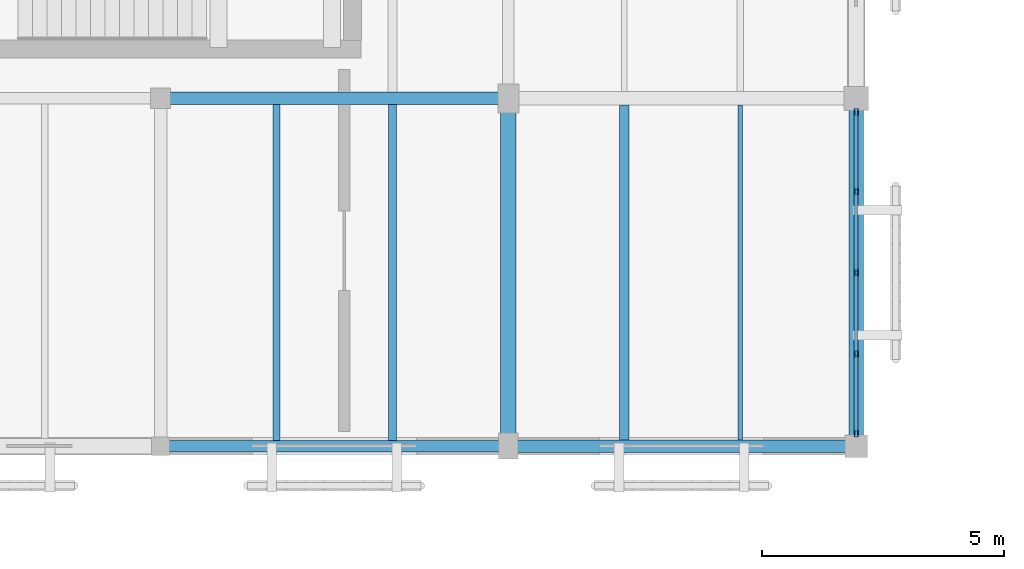
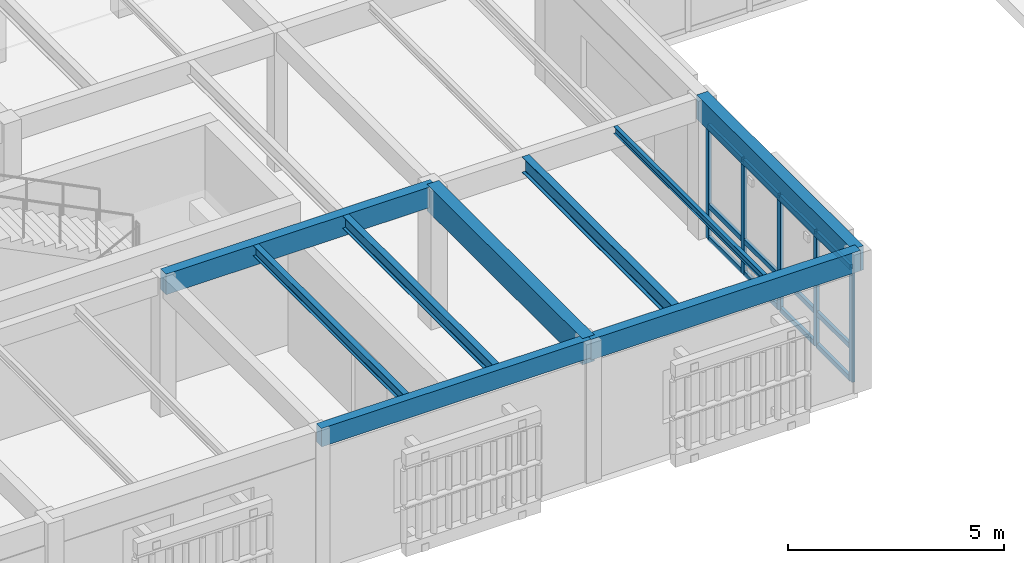
# One storey, part 16 of 112: 17 members, 9 beams, 1 element without a shape of its own.
"""IFC4 building model written with IfcOpenShell, lengths in metres."""

from ifc_helpers import new_model, si_unit, direction, frame, origin, origin_2d, place, context, subcontext, project, spatial, rectangle, hollow_rectangle, i_section, extrude, material, layer, layer_set, material_profile, profile_set, type_object, element, aggregate, save


model = new_model("IFC4")

# Units and contexts
model_context = context("Model", 3, precision=1e-05, world=origin(), true_north=direction((0.0, 1.0)))
body_context = subcontext(model_context, "Body", "Model", "MODEL_VIEW")
ifc_project = project(units=[si_unit("LENGTHUNIT", "METRE"), si_unit("AREAUNIT", "SQUARE_METRE"), si_unit("VOLUMEUNIT", "CUBIC_METRE"), si_unit("PLANEANGLEUNIT", "RADIAN"), si_unit("MASSUNIT", "GRAM", prefix="KILO")], contexts=[model_context])

# Site, building, storey
site_placement = place(None, origin())
site = spatial("IfcSite", under=ifc_project, at=site_placement, CompositionType="ELEMENT")
building_placement = place(site_placement, origin())
building = spatial("IfcBuilding", under=site, at=building_placement, Name="Mazaris Harbour Polytechnic", CompositionType="ELEMENT")
storey_placement = place(building_placement, frame((0.0, 0.0, 13.800048828125)))
storey = spatial("IfcBuildingStorey", under=building, at=storey_placement, Name="L03", CompositionType="ELEMENT", Elevation=13.800048828125)

# Curtain wall, members
ifc_material_1 = material(Name="Anodised Bronze Aluminium and Low-E Glass", Category="aluminium")
ifc_layer = layer(ifc_material_1, 0.159912109375, Name="Anodised Bronze Aluminium and Low-E Glass")
ifc_layer_set = layer_set([ifc_layer], Name="Anodised Bronze Aluminium and Low-E Glass")
curtain_wall_type = type_object("IfcCurtainWallType", Name="Cloister Court Curtain Wall", PredefinedType="NOTDEFINED", material=ifc_layer_set)
curtain_wall_placement = place(storey_placement, origin())
curtain_wall = element("IfcCurtainWall", 1, at=curtain_wall_placement, inside=storey, type_object=curtain_wall_type, Name="V4 L03 Curtain Wall 145", PredefinedType="NOTDEFINED")
ifc_material_2 = material(Name="Anodised Bronze Steel S355", Category="steel")
ifc_material_profile_1 = material_profile(ifc_material_2, hollow_rectangle(XDim=0.080078125, YDim=0.139892578125, WallThickness=0.00634765625, at=origin_2d()), Name="RHS 80x140x6.3")
ifc_profile_set_1 = profile_set([ifc_material_profile_1], Name="Anodised Bronze Steel S355")
member_type_1 = type_object("IfcMemberType", Name="Curtain Mullion RHS80x140", PredefinedType="MULLION", material=ifc_profile_set_1)
member_1_placement = place(storey_placement, frame((43.199951171875, 14.117919921875, 0.0), z_axis=(0.0, 0.0, 1.0), x_axis=(1.0, 0.0, 0.0)))
member_1 = element("IfcMember", 2, at=member_1_placement, type_object=member_type_1, Name="CW-02 mullion 1", PredefinedType="MULLION", context=body_context, shape_type="SweptSolid", body=[
    extrude(hollow_rectangle(XDim=0.080078125, YDim=0.139892578125, WallThickness=0.00634765625, at=origin_2d()), origin(), (0.0, 0.0, 1.0), 3.22998046875),
])
member_2_placement = place(storey_placement, frame((43.199951171875, 12.47412109375, 0.0), z_axis=(0.0, 0.0, 1.0), x_axis=(1.0, 0.0, 0.0)))
member_2 = element("IfcMember", 3, at=member_2_placement, type_object=member_type_1, Name="CW-02 mullion 2", PredefinedType="MULLION", context=body_context, shape_type="SweptSolid", body=[
    extrude(hollow_rectangle(XDim=0.080078125, YDim=0.139892578125, WallThickness=0.00634765625, at=origin_2d()), origin(), (0.0, 0.0, 1.0), 3.22998046875),
])
member_3_placement = place(storey_placement, frame((43.199951171875, 10.7900390625, 0.0), z_axis=(0.0, 0.0, 1.0), x_axis=(1.0, 0.0, 0.0)))
member_3 = element("IfcMember", 4, at=member_3_placement, type_object=member_type_1, Name="CW-02 mullion 3", PredefinedType="MULLION", context=body_context, shape_type="SweptSolid", body=[
    extrude(hollow_rectangle(XDim=0.080078125, YDim=0.139892578125, WallThickness=0.00634765625, at=origin_2d()), origin(), (0.0, 0.0, 1.0), 3.22998046875),
])
member_4_placement = place(storey_placement, frame((43.199951171875, 9.10595703125, 0.0), z_axis=(0.0, 0.0, 1.0), x_axis=(1.0, 0.0, 0.0)))
member_4 = element("IfcMember", 5, at=member_4_placement, type_object=member_type_1, Name="CW-02 mullion 4", PredefinedType="MULLION", context=body_context, shape_type="SweptSolid", body=[
    extrude(hollow_rectangle(XDim=0.080078125, YDim=0.139892578125, WallThickness=0.00634765625, at=origin_2d()), origin(), (0.0, 0.0, 1.0), 3.22998046875),
])
member_5_placement = place(storey_placement, frame((43.199951171875, 7.4619140625, 0.0), z_axis=(0.0, 0.0, 1.0), x_axis=(1.0, 0.0, 0.0)))
member_5 = element("IfcMember", 6, at=member_5_placement, type_object=member_type_1, Name="CW-02 mullion 5", PredefinedType="MULLION", context=body_context, shape_type="SweptSolid", body=[
    extrude(hollow_rectangle(XDim=0.080078125, YDim=0.139892578125, WallThickness=0.00634765625, at=origin_2d()), origin(), (0.0, 0.0, 1.0), 3.22998046875),
])
ifc_material_3 = material(Name="Anodised Bronze Steel S355", Category="steel")
ifc_material_profile_2 = material_profile(ifc_material_3, hollow_rectangle(XDim=0.080078125, YDim=0.139892578125, WallThickness=0.00634765625, at=origin_2d()), Name="RHS 80x140x6.3")
ifc_profile_set_2 = profile_set([ifc_material_profile_2], Name="Anodised Bronze Steel S355")
member_type_2 = type_object("IfcMemberType", Name="Curtain Transom RHS80x140", PredefinedType="USERDEFINED", material=ifc_profile_set_2)
member_6_placement = place(storey_placement, frame((43.199951171875, 14.077880859375, 0.0400390625), z_axis=(0.0, -1.0, 0.0), x_axis=(1.0, 0.0, 0.0)))
member_6 = element("IfcMember", 7, at=member_6_placement, type_object=member_type_2, Name="CW-02 transom 1.1", ObjectType="TRANSOM", PredefinedType="USERDEFINED", context=body_context, shape_type="SweptSolid", body=[
    extrude(hollow_rectangle(XDim=0.080078125, YDim=0.139892578125, WallThickness=0.00634765625, at=origin_2d()), origin(), (0.0, 0.0, 1.0), 1.56396484375),
])
member_7_placement = place(storey_placement, frame((43.199951171875, 14.077880859375, 0.949951171875), z_axis=(0.0, -1.0, 0.0), x_axis=(1.0, 0.0, 0.0)))
member_7 = element("IfcMember", 8, at=member_7_placement, type_object=member_type_2, Name="CW-02 transom 1.2", ObjectType="TRANSOM", PredefinedType="USERDEFINED", context=body_context, shape_type="SweptSolid", body=[
    extrude(hollow_rectangle(XDim=0.080078125, YDim=0.139892578125, WallThickness=0.00634765625, at=origin_2d()), origin(), (0.0, 0.0, 1.0), 1.56396484375),
])
member_8_placement = place(storey_placement, frame((43.199951171875, 14.077880859375, 3.18994140625), z_axis=(0.0, -1.0, 0.0), x_axis=(1.0, 0.0, 0.0)))
member_8 = element("IfcMember", 9, at=member_8_placement, type_object=member_type_2, Name="CW-02 transom 1.3", ObjectType="TRANSOM", PredefinedType="USERDEFINED", context=body_context, shape_type="SweptSolid", body=[
    extrude(hollow_rectangle(XDim=0.080078125, YDim=0.139892578125, WallThickness=0.00634765625, at=origin_2d()), origin(), (0.0, 0.0, 1.0), 1.56396484375),
])
member_9_placement = place(storey_placement, frame((43.199951171875, 12.43408203125, 0.0400390625), z_axis=(0.0, -1.0, 0.0), x_axis=(1.0, 0.0, 0.0)))
member_9 = element("IfcMember", 10, at=member_9_placement, type_object=member_type_2, Name="CW-02 transom 2.1", ObjectType="TRANSOM", PredefinedType="USERDEFINED", context=body_context, shape_type="SweptSolid", body=[
    extrude(hollow_rectangle(XDim=0.080078125, YDim=0.139892578125, WallThickness=0.00634765625, at=origin_2d()), origin(), (0.0, 0.0, 1.0), 1.60400390625),
])
member_10_placement = place(storey_placement, frame((43.199951171875, 12.43408203125, 0.949951171875), z_axis=(0.0, -1.0, 0.0), x_axis=(1.0, 0.0, 0.0)))
member_10 = element("IfcMember", 11, at=member_10_placement, type_object=member_type_2, Name="CW-02 transom 2.2", ObjectType="TRANSOM", PredefinedType="USERDEFINED", context=body_context, shape_type="SweptSolid", body=[
    extrude(hollow_rectangle(XDim=0.080078125, YDim=0.139892578125, WallThickness=0.00634765625, at=origin_2d()), origin(), (0.0, 0.0, 1.0), 1.60400390625),
])
member_11_placement = place(storey_placement, frame((43.199951171875, 12.43408203125, 3.18994140625), z_axis=(0.0, -1.0, 0.0), x_axis=(1.0, 0.0, 0.0)))
member_11 = element("IfcMember", 12, at=member_11_placement, type_object=member_type_2, Name="CW-02 transom 2.3", ObjectType="TRANSOM", PredefinedType="USERDEFINED", context=body_context, shape_type="SweptSolid", body=[
    extrude(hollow_rectangle(XDim=0.080078125, YDim=0.139892578125, WallThickness=0.00634765625, at=origin_2d()), origin(), (0.0, 0.0, 1.0), 1.60400390625),
])
member_12_placement = place(storey_placement, frame((43.199951171875, 10.75, 0.0400390625), z_axis=(0.0, -1.0, 0.0), x_axis=(1.0, 0.0, 0.0)))
member_12 = element("IfcMember", 13, at=member_12_placement, type_object=member_type_2, Name="CW-02 transom 3.1", ObjectType="TRANSOM", PredefinedType="USERDEFINED", context=body_context, shape_type="SweptSolid", body=[
    extrude(hollow_rectangle(XDim=0.080078125, YDim=0.139892578125, WallThickness=0.00634765625, at=origin_2d()), origin(), (0.0, 0.0, 1.0), 1.60400390625),
])
member_13_placement = place(storey_placement, frame((43.199951171875, 10.75, 0.949951171875), z_axis=(0.0, -1.0, 0.0), x_axis=(1.0, 0.0, 0.0)))
member_13 = element("IfcMember", 14, at=member_13_placement, type_object=member_type_2, Name="CW-02 transom 3.2", ObjectType="TRANSOM", PredefinedType="USERDEFINED", context=body_context, shape_type="SweptSolid", body=[
    extrude(hollow_rectangle(XDim=0.080078125, YDim=0.139892578125, WallThickness=0.00634765625, at=origin_2d()), origin(), (0.0, 0.0, 1.0), 1.60400390625),
])
member_14_placement = place(storey_placement, frame((43.199951171875, 10.75, 3.18994140625), z_axis=(0.0, -1.0, 0.0), x_axis=(1.0, 0.0, 0.0)))
member_14 = element("IfcMember", 15, at=member_14_placement, type_object=member_type_2, Name="CW-02 transom 3.3", ObjectType="TRANSOM", PredefinedType="USERDEFINED", context=body_context, shape_type="SweptSolid", body=[
    extrude(hollow_rectangle(XDim=0.080078125, YDim=0.139892578125, WallThickness=0.00634765625, at=origin_2d()), origin(), (0.0, 0.0, 1.0), 1.60400390625),
])
member_15_placement = place(storey_placement, frame((43.199951171875, 9.06591796875, 0.0400390625), z_axis=(0.0, -1.0, 0.0), x_axis=(1.0, 0.0, 0.0)))
member_15 = element("IfcMember", 16, at=member_15_placement, type_object=member_type_2, Name="CW-02 transom 4.1", ObjectType="TRANSOM", PredefinedType="USERDEFINED", context=body_context, shape_type="SweptSolid", body=[
    extrude(hollow_rectangle(XDim=0.080078125, YDim=0.139892578125, WallThickness=0.00634765625, at=origin_2d()), origin(), (0.0, 0.0, 1.0), 1.56396484375),
])
member_16_placement = place(storey_placement, frame((43.199951171875, 9.06591796875, 0.949951171875), z_axis=(0.0, -1.0, 0.0), x_axis=(1.0, 0.0, 0.0)))
member_16 = element("IfcMember", 17, at=member_16_placement, type_object=member_type_2, Name="CW-02 transom 4.2", ObjectType="TRANSOM", PredefinedType="USERDEFINED", context=body_context, shape_type="SweptSolid", body=[
    extrude(hollow_rectangle(XDim=0.080078125, YDim=0.139892578125, WallThickness=0.00634765625, at=origin_2d()), origin(), (0.0, 0.0, 1.0), 1.56396484375),
])
member_17_placement = place(storey_placement, frame((43.199951171875, 9.06591796875, 3.18994140625), z_axis=(0.0, -1.0, 0.0), x_axis=(1.0, 0.0, 0.0)))
member_17 = element("IfcMember", 18, at=member_17_placement, type_object=member_type_2, Name="CW-02 transom 4.3", ObjectType="TRANSOM", PredefinedType="USERDEFINED", context=body_context, shape_type="SweptSolid", body=[
    extrude(hollow_rectangle(XDim=0.080078125, YDim=0.139892578125, WallThickness=0.00634765625, at=origin_2d()), origin(), (0.0, 0.0, 1.0), 1.56396484375),
])
aggregate(curtain_wall, [member_1, member_2, member_3, member_4, member_5, member_6, member_7, member_8, member_9, member_10, member_11, member_12, member_13, member_14, member_15, member_16, member_17])

# Beams
ifc_material_4 = material(Name="Glulam GL32h", Category="wood")
ifc_material_profile_3 = material_profile(ifc_material_4, rectangle(XDim=0.239990234375, YDim=0.52001953125, at=origin_2d()), Name="RECT240x520")
ifc_profile_set_3 = profile_set([ifc_material_profile_3], Name="Glulam GL32h")
beam_type_1 = type_object("IfcBeamType", Name="Glulam Girder 240x520 Exterior", PredefinedType="BEAM", material=ifc_profile_set_3)
beam_1_placement = place(storey_placement, frame((28.800048828125, 7.199951171875, 3.659912109375), z_axis=(1.0, 0.0, 0.0), x_axis=(0.0, 1.0, 0.0)))
element("IfcBeam", 19, at=beam_1_placement, inside=storey, type_object=beam_type_1, Name="V4 L03 Girder 2170", PredefinedType="BEAM", context=body_context, shape_type="SweptSolid", body=[
    extrude(rectangle(XDim=0.239990234375, YDim=0.52001953125, at=origin_2d()), origin(), (0.0, 0.0, 1.0), 7.199951171875),
])
ifc_material_5 = material(Name="Glulam GL32h", Category="wood")
ifc_material_profile_4 = material_profile(ifc_material_5, rectangle(XDim=0.260009765625, YDim=0.580078125, at=origin_2d()), Name="RECT260x580")
ifc_profile_set_4 = profile_set([ifc_material_profile_4], Name="Glulam GL32h")
beam_type_2 = type_object("IfcBeamType", Name="Glulam Girder 260x580", PredefinedType="BEAM", material=ifc_profile_set_4)
beam_2_placement = place(storey_placement, frame((28.800048828125, 14.39990234375, 3.6298828125), z_axis=(1.0, 0.0, 0.0), x_axis=(0.0, 1.0, 0.0)))
element("IfcBeam", 20, at=beam_2_placement, inside=storey, type_object=beam_type_2, Name="V4 L03 Girder 2176", PredefinedType="BEAM", context=body_context, shape_type="SweptSolid", body=[
    extrude(rectangle(XDim=0.260009765625, YDim=0.580078125, at=origin_2d()), origin(), (0.0, 0.0, 1.0), 7.199951171875),
])
ifc_material_6 = material(Name="Glulam GL32h", Category="wood")
ifc_material_profile_5 = material_profile(ifc_material_6, rectangle(XDim=0.260009765625, YDim=0.580078125, at=origin_2d()), Name="RECT260x580")
ifc_profile_set_5 = profile_set([ifc_material_profile_5], Name="Glulam GL32h")
beam_type_3 = type_object("IfcBeamType", Name="Glulam Girder 260x580 Exterior", PredefinedType="BEAM", material=ifc_profile_set_5)
beam_3_placement = place(storey_placement, frame((36.0, 7.199951171875, 3.6298828125), z_axis=(1.0, 0.0, 0.0), x_axis=(0.0, 1.0, 0.0)))
element("IfcBeam", 21, at=beam_3_placement, inside=storey, type_object=beam_type_3, Name="V4 L03 Girder 2171", PredefinedType="BEAM", context=body_context, shape_type="SweptSolid", body=[
    extrude(rectangle(XDim=0.260009765625, YDim=0.580078125, at=origin_2d()), origin(), (0.0, 0.0, 1.0), 7.199951171875),
])
ifc_material_7 = material(Name="Glulam GL32h", Category="wood")
ifc_material_profile_6 = material_profile(ifc_material_7, rectangle(XDim=0.300048828125, YDim=0.679931640625, at=origin_2d()), Name="RECT300x680")
ifc_profile_set_6 = profile_set([ifc_material_profile_6], Name="Glulam GL32h")
beam_type_4 = type_object("IfcBeamType", Name="Glulam Girder 300x680 Exterior", PredefinedType="BEAM", material=ifc_profile_set_6)
beam_4_placement = place(storey_placement, frame((43.199951171875, 7.199951171875, 3.579833984375), z_axis=(0.0, 1.0, 0.0), x_axis=(-1.0, 0.0, 0.0)))
element("IfcBeam", 22, at=beam_4_placement, inside=storey, type_object=beam_type_4, Name="V4 L03 Tie Girder 2268", PredefinedType="BEAM", context=body_context, shape_type="SweptSolid", body=[
    extrude(rectangle(XDim=0.300048828125, YDim=0.679931640625, at=origin_2d()), origin(), (0.0, 0.0, 1.0), 7.199951171875),
])
ifc_material_8 = material(Name="Glulam GL32h", Category="wood")
ifc_material_profile_7 = material_profile(ifc_material_8, rectangle(XDim=0.320068359375, YDim=0.739990234375, at=origin_2d()), Name="RECT320x740")
ifc_profile_set_7 = profile_set([ifc_material_profile_7], Name="Glulam GL32h")
beam_type_5 = type_object("IfcBeamType", Name="Glulam Girder 320x740", PredefinedType="BEAM", material=ifc_profile_set_7)
beam_5_placement = place(storey_placement, frame((36.0, 7.199951171875, 3.550048828125), z_axis=(0.0, 1.0, 0.0), x_axis=(-1.0, 0.0, 0.0)))
element("IfcBeam", 23, at=beam_5_placement, inside=storey, type_object=beam_type_5, Name="V4 L03 Tie Girder 2259", PredefinedType="BEAM", context=body_context, shape_type="SweptSolid", body=[
    extrude(rectangle(XDim=0.320068359375, YDim=0.739990234375, at=origin_2d()), origin(), (0.0, 0.0, 1.0), 7.199951171875),
])
ifc_material_9 = material(Name="Steel S355", Category="steel")
ifc_material_profile_8 = material_profile(ifc_material_9, i_section(OverallWidth=0.10009765625, OverallDepth=0.199951171875, WebThickness=0.005615234375, FlangeThickness=0.008544921875, FilletRadius=0.011962890625, at=origin_2d()), Name="IPE 200")
ifc_profile_set_8 = profile_set([ifc_material_profile_8], Name="Steel S355")
beam_type_6 = type_object("IfcBeamType", Name="Steel Joist IPE200", PredefinedType="JOIST", material=ifc_profile_set_8)
beam_6_placement = place(storey_placement, frame((40.800048828125, 7.330078125, 3.820068359375), z_axis=(0.0, 1.0, 0.0), x_axis=(-1.0, 0.0, 0.0)))
element("IfcBeam", 24, at=beam_6_placement, inside=storey, type_object=beam_type_6, Name="V4 L03 Floor Joist 2345", PredefinedType="JOIST", context=body_context, shape_type="SweptSolid", body=[
    extrude(i_section(OverallWidth=0.10009765625, OverallDepth=0.199951171875, WebThickness=0.005615234375, FlangeThickness=0.008544921875, FilletRadius=0.011962890625, at=origin_2d()), origin(), (0.0, 0.0, 1.0), 6.929931640625),
])
ifc_material_10 = material(Name="Steel S355", Category="steel")
ifc_material_profile_9 = material_profile(ifc_material_10, i_section(OverallWidth=0.14990234375, OverallDepth=0.300048828125, WebThickness=0.007080078125, FlangeThickness=0.0107421875, FilletRadius=0.014892578125, at=origin_2d()), Name="IPE 300")
ifc_profile_set_9 = profile_set([ifc_material_profile_9], Name="Steel S355")
beam_type_7 = type_object("IfcBeamType", Name="Steel Joist IPE300", PredefinedType="JOIST", material=ifc_profile_set_9)
beam_7_placement = place(storey_placement, frame((31.199951171875, 7.320068359375, 3.77001953125), z_axis=(0.0, 1.0, 0.0), x_axis=(-1.0, 0.0, 0.0)))
element("IfcBeam", 25, at=beam_7_placement, inside=storey, type_object=beam_type_7, Name="V4 L03 Floor Joist 2327", PredefinedType="JOIST", context=body_context, shape_type="SweptSolid", body=[
    extrude(i_section(OverallWidth=0.14990234375, OverallDepth=0.300048828125, WebThickness=0.007080078125, FlangeThickness=0.0107421875, FilletRadius=0.014892578125, at=origin_2d()), origin(), (0.0, 0.0, 1.0), 6.949951171875),
])
ifc_material_11 = material(Name="Steel S355", Category="steel")
ifc_material_profile_10 = material_profile(ifc_material_11, i_section(OverallWidth=0.169921875, OverallDepth=0.360107421875, WebThickness=0.008056640625, FlangeThickness=0.0126953125, FilletRadius=0.01806640625, at=origin_2d()), Name="IPE 360")
ifc_profile_set_10 = profile_set([ifc_material_profile_10], Name="Steel S355")
beam_type_8 = type_object("IfcBeamType", Name="Steel Joist IPE360", PredefinedType="JOIST", material=ifc_profile_set_10)
beam_8_placement = place(storey_placement, frame((33.60009765625, 7.320068359375, 3.739990234375), z_axis=(0.0, 1.0, 0.0), x_axis=(-1.0, 0.0, 0.0)))
element("IfcBeam", 26, at=beam_8_placement, inside=storey, type_object=beam_type_8, Name="V4 L03 Floor Joist 2328", PredefinedType="JOIST", context=body_context, shape_type="SweptSolid", body=[
    extrude(i_section(OverallWidth=0.169921875, OverallDepth=0.360107421875, WebThickness=0.008056640625, FlangeThickness=0.0126953125, FilletRadius=0.01806640625, at=origin_2d()), origin(), (0.0, 0.0, 1.0), 6.949951171875),
])
ifc_material_12 = material(Name="Steel S355", Category="steel")
ifc_material_profile_11 = material_profile(ifc_material_12, i_section(OverallWidth=0.18994140625, OverallDepth=0.449951171875, WebThickness=0.009521484375, FlangeThickness=0.0146484375, FilletRadius=0.02099609375, at=origin_2d()), Name="IPE 450")
ifc_profile_set_11 = profile_set([ifc_material_profile_11], Name="Steel S355")
beam_type_9 = type_object("IfcBeamType", Name="Steel Joist IPE450", PredefinedType="JOIST", material=ifc_profile_set_11)
beam_9_placement = place(storey_placement, frame((38.39990234375, 7.330078125, 3.695068359375), z_axis=(0.0, 1.0, 0.0), x_axis=(-1.0, 0.0, 0.0)))
element("IfcBeam", 27, at=beam_9_placement, inside=storey, type_object=beam_type_9, Name="V4 L03 Floor Joist 2344", PredefinedType="JOIST", context=body_context, shape_type="SweptSolid", body=[
    extrude(i_section(OverallWidth=0.18994140625, OverallDepth=0.449951171875, WebThickness=0.009521484375, FlangeThickness=0.0146484375, FilletRadius=0.02099609375, at=origin_2d()), origin(), (0.0, 0.0, 1.0), 6.929931640625),
])

save(model, "model.ifc")
